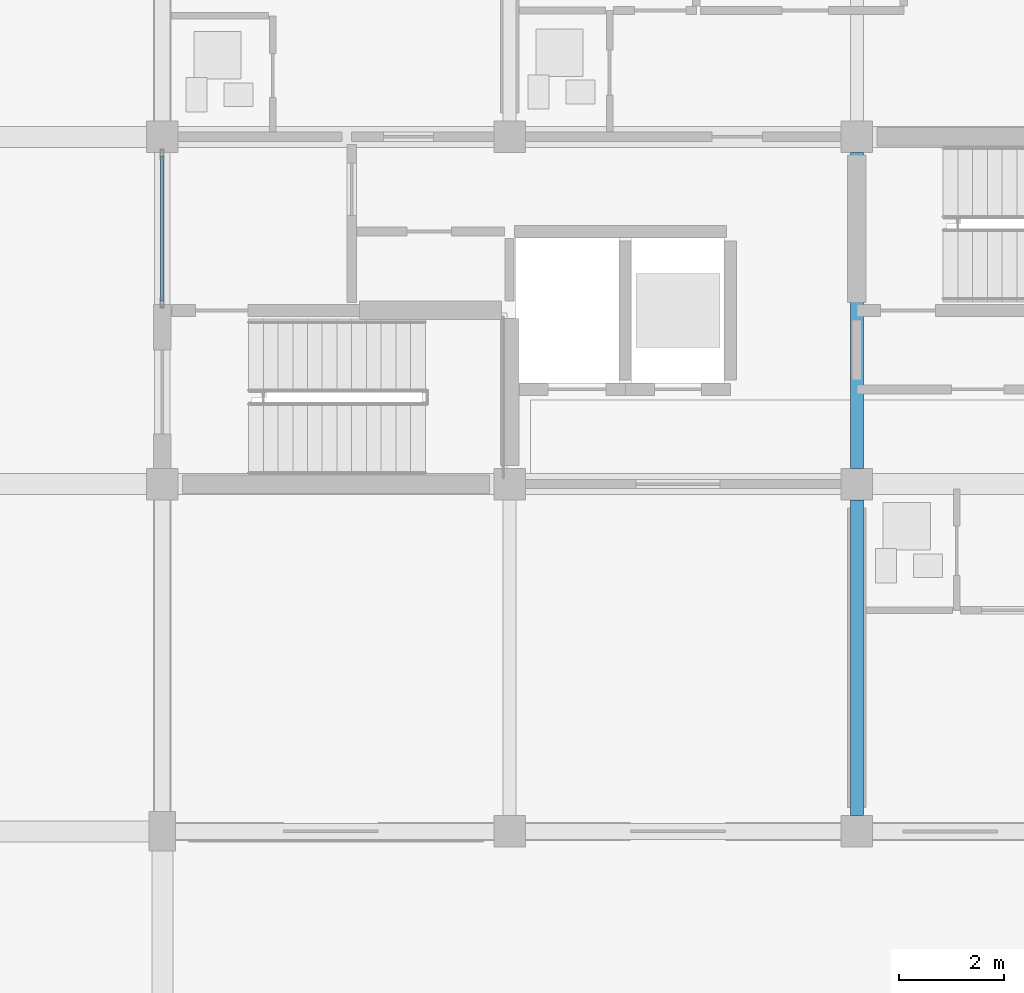
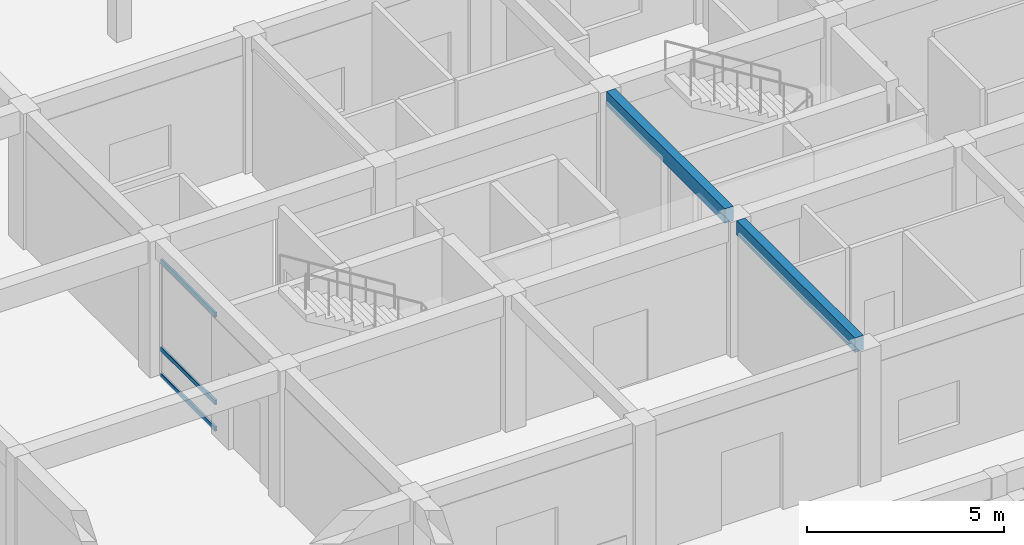
# One storey, part 27 of 75: 3 members, 2 beams, 1 element without a shape of its own.
"""IFC4 building model written with IfcOpenShell, lengths in metres."""

from ifc_helpers import new_model, si_unit, direction, frame, origin, origin_2d, place, context, subcontext, project, spatial, rectangle, hollow_rectangle, extrude, material, material_profile, profile_set, type_object, element, aggregate, save


model = new_model("IFC4")

# Units and contexts
model_context = context("Model", 3, precision=1e-05, world=origin(), true_north=direction((0.0, 1.0)))
body_context = subcontext(model_context, "Body", "Model", "MODEL_VIEW")
ifc_project = project(units=[si_unit("LENGTHUNIT", "METRE"), si_unit("AREAUNIT", "SQUARE_METRE"), si_unit("VOLUMEUNIT", "CUBIC_METRE"), si_unit("PLANEANGLEUNIT", "RADIAN"), si_unit("MASSUNIT", "GRAM", prefix="KILO")], contexts=[model_context])

# Site, building, storey
site_placement = place(None, origin())
site = spatial("IfcSite", under=ifc_project, at=site_placement, CompositionType="ELEMENT")
building_placement = place(site_placement, origin())
building = spatial("IfcBuilding", under=site, at=building_placement, Name="Kernevlak Ridge Housing Community", CompositionType="ELEMENT")
storey_placement = place(building_placement, origin())
storey = spatial("IfcBuildingStorey", under=building, at=storey_placement, Name="L00", CompositionType="ELEMENT", Elevation=0.0)

# Beams
ifc_material_1 = material(Name="Concrete C35/45", Category="concrete")
ifc_material_profile_1 = material_profile(ifc_material_1, rectangle(XDim=0.25, YDim=0.449951171875, at=origin_2d()), Name="RC 250x450")
ifc_profile_set_1 = profile_set([ifc_material_profile_1], Name="Concrete C35/45")
beam_type = type_object("IfcBeamType", Name="B-04", PredefinedType="T_BEAM", material=ifc_profile_set_1)
for number, where, z_axis, x_axis, name in (
    (1, (28.800048828125, 76.300048828125, 3.97509765625), (0.0, 1.0, 0.0), (-1.0, 0.0, 0.0), "Beam B-04 L00 62"),
    (2, (28.800048828125, 82.89990234375, 3.97509765625), (0.0, 1.0, 0.0), (-1.0, 0.0, 0.0), "Beam B-04 L00 63"),
):
    element("IfcBeam", number, at=place(storey_placement, frame(where, z_axis=z_axis, x_axis=x_axis)), inside=storey, type_object=beam_type, Name=name, PredefinedType="T_BEAM", context=body_context, shape_type="SweptSolid", body=[
        extrude(rectangle(XDim=0.25, YDim=0.449951171875, at=origin_2d()), origin(), (0.0, 0.0, 1.0), 6.0),
    ])

# Curtain wall, members
ifc_material_2 = material(Name="Aluminium EN AW-6060 anodised and laminated glass", Category="aluminium")
curtain_wall_type = type_object("IfcCurtainWallType", Name="CW-07", PredefinedType="NOTDEFINED", material=ifc_material_2)
curtain_wall_placement = place(storey_placement, origin())
curtain_wall = element("IfcCurtainWall", 3, at=curtain_wall_placement, inside=storey, type_object=curtain_wall_type, Name="Curtain wall CW-07 CW-L00-002", PredefinedType="NOTDEFINED")
ifc_material_3 = material(Name="Aluminium EN AW-6060 anodised", Category="aluminium")
ifc_material_profile_2 = material_profile(ifc_material_3, hollow_rectangle(XDim=0.06494140625, YDim=0.139892578125, WallThickness=0.00390625, InnerFilletRadius=0.001953125, OuterFilletRadius=0.00390625, at=origin_2d()), Name="ALU 65x140x4")
ifc_profile_set_2 = profile_set([ifc_material_profile_2], Name="Aluminium EN AW-6060 anodised")
member_type = type_object("IfcMemberType", Name="TM-03", PredefinedType="USERDEFINED", material=ifc_profile_set_2)
member_1_placement = place(storey_placement, frame((15.60009765625, 86.074951171875, 0.032470703125), z_axis=(0.0, 1.0, 0.0), x_axis=(-1.0, 0.0, 0.0)))
member_1 = element("IfcMember", 4, at=member_1_placement, type_object=member_type, Name="CW-07 transom 1.1", ObjectType="TRANSOM", PredefinedType="USERDEFINED", context=body_context, shape_type="SweptSolid", body=[
    extrude(hollow_rectangle(XDim=0.06494140625, YDim=0.139892578125, WallThickness=0.00390625, InnerFilletRadius=0.001953125, OuterFilletRadius=0.00390625, at=origin_2d()), origin(), (0.0, 0.0, 1.0), 2.760009765625),
])
member_2_placement = place(storey_placement, frame((15.60009765625, 86.074951171875, 0.85009765625), z_axis=(0.0, 1.0, 0.0), x_axis=(-1.0, 0.0, 0.0)))
member_2 = element("IfcMember", 5, at=member_2_placement, type_object=member_type, Name="CW-07 transom 1.2", ObjectType="TRANSOM", PredefinedType="USERDEFINED", context=body_context, shape_type="SweptSolid", body=[
    extrude(hollow_rectangle(XDim=0.06494140625, YDim=0.139892578125, WallThickness=0.00390625, InnerFilletRadius=0.001953125, OuterFilletRadius=0.00390625, at=origin_2d()), origin(), (0.0, 0.0, 1.0), 2.760009765625),
])
member_3_placement = place(storey_placement, frame((15.60009765625, 86.074951171875, 3.5673828125), z_axis=(0.0, 1.0, 0.0), x_axis=(-1.0, 0.0, 0.0)))
member_3 = element("IfcMember", 6, at=member_3_placement, type_object=member_type, Name="CW-07 transom 1.3", ObjectType="TRANSOM", PredefinedType="USERDEFINED", context=body_context, shape_type="SweptSolid", body=[
    extrude(hollow_rectangle(XDim=0.06494140625, YDim=0.139892578125, WallThickness=0.00390625, InnerFilletRadius=0.001953125, OuterFilletRadius=0.00390625, at=origin_2d()), origin(), (0.0, 0.0, 1.0), 2.760009765625),
])
aggregate(curtain_wall, [member_1, member_2, member_3])

save(model, "model.ifc")
